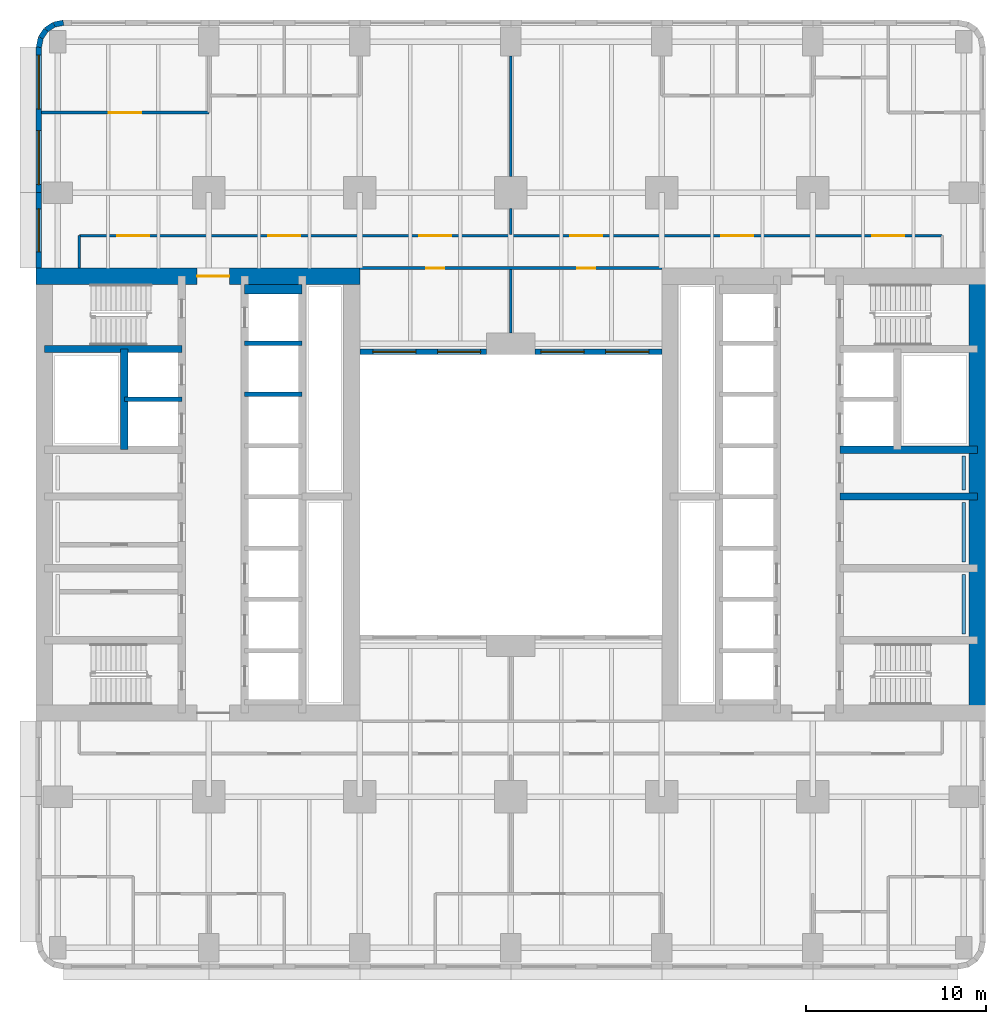
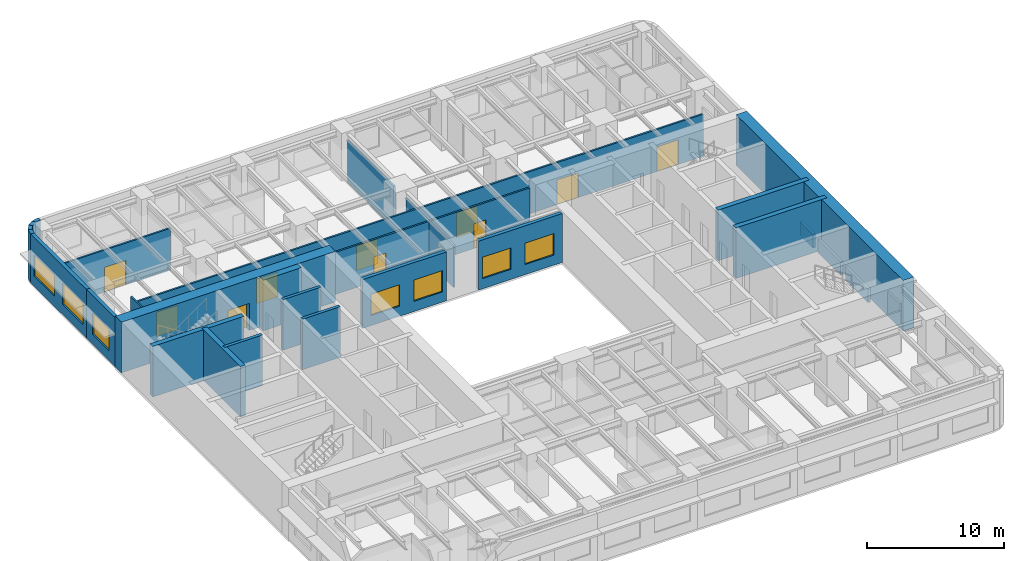
# One storey, part 6 of 12: 28 walls, 10 doors, 7 windows, 17 openings.
"""IFC4 building model written with IfcOpenShell, lengths in metres."""

import ifcopenshell
import ifcopenshell.guid

model = None  # the IFC model being written
_history = None  # IfcOwnerHistory: only IFC2X3 demands one
_inside = {}  # id of a spatial element -> (the spatial element, [elements in it])
_under = {}  # id of a project, library or spatial element -> (it, [spatial elements below it])
_declared = {}  # id of a project -> (the project, [libraries it declares])
_typed = {}  # id of a type object -> (the type object, [elements of that type])
_made_of = {}  # id of a material, layer set ... -> (it, [elements and type objects made of it])


def new_model(schema):
    """Start an empty IFC model of exactly this schema.

    Asked for "IFC4X3", IfcOpenShell would pick the latest addendum, in which some entities
    have other attributes; the version numbers below select the first issue.
    IFC2X3 requires an IfcOwnerHistory on every rooted entity: one is made here for all.
    """
    global model, _history
    if schema == "IFC4X3":
        model = ifcopenshell.file(schema_version=(4, 3, 0, 0))
    else:
        model = ifcopenshell.file(schema=schema)
    _inside.clear()
    _under.clear()
    _declared.clear()
    _typed.clear()
    _made_of.clear()
    _history = None
    if model.schema == "IFC2X3":
        org = make("IfcOrganization", Name="unknown")
        user = make(
            "IfcPersonAndOrganization",
            ThePerson=make("IfcPerson", FamilyName="unknown"),
            TheOrganization=org,
        )
        app = make(
            "IfcApplication",
            ApplicationDeveloper=org,
            Version="unknown",
            ApplicationFullName="unknown",
            ApplicationIdentifier="unknown",
        )
        _history = make(
            "IfcOwnerHistory",
            OwningUser=user,
            OwningApplication=app,
            ChangeAction="ADDED",
            CreationDate=0,
        )
    return model


def make(cls, **values):
    """One entity of the class cls with the attributes given. An attribute that is None is left unset."""
    return model.create_entity(
        cls, **{name: value for name, value in values.items() if value is not None}
    )


def rooted(cls, **values):
    """An entity with a GlobalId (a new one), such as an element, a storey or a relation."""
    return make(cls, GlobalId=ifcopenshell.guid.new(), OwnerHistory=_history, **values)


def si_unit(unit_type, name, prefix=None):
    """IfcSIUnit, for example si_unit("LENGTHUNIT", "METRE", prefix="MILLI")."""
    return make("IfcSIUnit", UnitType=unit_type, Prefix=prefix, Name=name)


def assignment(units):
    """IfcUnitAssignment: the units of a project."""
    return None if units is None else make("IfcUnitAssignment", Units=units)


def point(xyz):
    """IfcCartesianPoint."""
    return None if xyz is None else make("IfcCartesianPoint", Coordinates=xyz)


def direction(xyz):
    """IfcDirection."""
    return None if xyz is None else make("IfcDirection", DirectionRatios=xyz)


def frame(location, z_axis=None, x_axis=None):
    """IfcAxis2Placement3D, a coordinate frame: its origin and axes. An axis left out is left unset."""
    return make(
        "IfcAxis2Placement3D",
        Location=point(location),
        Axis=direction(z_axis),
        RefDirection=direction(x_axis),
    )


def frame_2d(location, x_axis=None):
    """IfcAxis2Placement2D, a coordinate frame in the plane: its origin and x axis."""
    return make(
        "IfcAxis2Placement2D", Location=point(location), RefDirection=direction(x_axis)
    )


def origin():
    """The frame at (0, 0, 0) with its axes left unset."""
    return frame((0.0, 0.0, 0.0))


def place(relative_to, where):
    """IfcLocalPlacement: puts the frame where relative to a parent placement (None: the world)."""
    return make(
        "IfcLocalPlacement", PlacementRelTo=relative_to, RelativePlacement=where
    )


def context(
    kind, dimensions, precision=None, world=None, true_north=None, identifier=None
):
    """IfcGeometricRepresentationContext, for example the 3D "Model" context."""
    return make(
        "IfcGeometricRepresentationContext",
        ContextIdentifier=identifier,
        ContextType=kind,
        CoordinateSpaceDimension=dimensions,
        Precision=precision,
        WorldCoordinateSystem=world,
        TrueNorth=true_north,
    )


def subcontext(parent, identifier, kind, view, scale=None):
    """IfcGeometricRepresentationSubContext, for example "Body" below "Model"."""
    return make(
        "IfcGeometricRepresentationSubContext",
        ContextIdentifier=identifier,
        ContextType=kind,
        ParentContext=parent,
        TargetScale=scale,
        TargetView=view,
    )


def project(units=None, contexts=None):
    """IfcProject with its units and contexts."""
    return rooted(
        "IfcProject",
        Name="project",
        RepresentationContexts=contexts,
        UnitsInContext=assignment(units),
    )


def spatial(cls, under=None, at=None, **own):
    """A site, building, storey or space (cls), placed at a placement, below another one or the project."""
    s = rooted(cls, ObjectPlacement=at, **own)
    if under is not None:
        _under.setdefault(under.id(), (under, []))[1].append(s)
    return s


def profile(cls, at=None, kind="AREA", **sizes):
    """A parametric profile (cls). Its sizes go by their IFC names, for example OverallWidth=200.0."""
    return make(cls, ProfileType=kind, Position=at, **sizes)


def rectangle(**sizes):
    """IfcRectangleProfileDef."""
    return profile("IfcRectangleProfileDef", **sizes)


def extrude(swept, where, along, depth):
    """IfcExtrudedAreaSolid: the profile swept, set in the frame where, extruded along a direction by depth."""
    return make(
        "IfcExtrudedAreaSolid",
        SweptArea=swept,
        Position=where,
        ExtrudedDirection=direction(along),
        Depth=depth,
    )


def shape(context_of_items, identifier, shape_type, items):
    """IfcShapeRepresentation: the items that make up one representation, for example the "Body"."""
    return make(
        "IfcShapeRepresentation",
        ContextOfItems=context_of_items,
        RepresentationIdentifier=identifier,
        RepresentationType=shape_type,
        Items=items,
    )


def material(Name=None, Category=None):
    """IfcMaterial."""
    return make("IfcMaterial", Name=Name, Category=Category)


def layer(
    of_material, thickness, ventilated=None, Name=None, Category=None, Priority=None
):
    """IfcMaterialLayer: one layer of a wall or slab, of a material (None: an air gap)."""
    return make(
        "IfcMaterialLayer",
        Material=of_material,
        LayerThickness=thickness,
        IsVentilated=ventilated,
        Name=Name,
        Category=Category,
        Priority=Priority,
    )


def layer_set(layers, Name=None):
    """IfcMaterialLayerSet."""
    return make("IfcMaterialLayerSet", MaterialLayers=layers, LayerSetName=Name)


def made_of(thing, what):
    """Note that an element or type object is made of a material, layer set ...; save() writes the relation."""
    if what is not None:
        _made_of.setdefault(what.id(), (what, []))[1].append(thing)
    return thing


def type_object(cls, material=None, **own):
    """A type object (cls), such as IfcWallType, which elements share."""
    return made_of(rooted(cls, **own), material)


def element(
    cls,
    number,
    at=None,
    inside=None,
    cuts=None,
    type_object=None,
    material=None,
    context=None,
    identifier="Body",
    shape_type=None,
    held_by="IfcProductDefinitionShape",
    body=None,
    shapes=None,
    **own,
):
    """One element of the class cls, such as IfcWall. Its Tag is "e" and its number.

    at: its placement. inside: the storey or other place that contains it. cuts: it is an
    opening in that element (IfcRelVoidsElement). A single representation is given by context,
    identifier, shape_type and body (its items); several are given by shapes. held_by: the class
    of the entity that holds the representations. save() writes the other relations.
    """
    e = rooted(cls, Tag="e%d" % number, ObjectPlacement=at, **own)
    if body is not None:
        shapes = [shape(context, identifier, shape_type, body)]
    if shapes is not None:
        e.Representation = make(held_by, Representations=shapes)
    if inside is not None:
        _inside.setdefault(inside.id(), (inside, []))[1].append(e)
    if cuts is not None:
        rooted(
            "IfcRelVoidsElement", RelatingBuildingElement=cuts, RelatedOpeningElement=e
        )
    if type_object is not None:
        _typed.setdefault(type_object.id(), (type_object, []))[1].append(e)
    return made_of(e, material)


def fill(opening, filler):
    """IfcRelFillsElement: the door or window that sits in an opening."""
    return rooted(
        "IfcRelFillsElement",
        RelatingOpeningElement=opening,
        RelatedBuildingElement=filler,
    )


def aggregate(whole, parts):
    """IfcRelAggregates: a whole, such as a stair, and the parts it consists of."""
    return rooted("IfcRelAggregates", RelatingObject=whole, RelatedObjects=parts)


def save(model, path):
    """Write the relations noted so far, then the file.

    IfcRelAggregates (storeys below a building ...), IfcRelContainedInSpatialStructure (elements
    in a storey), IfcRelDefinesByType, IfcRelAssociatesMaterial and IfcRelDeclares: one each for
    every whole, place, type object, material and project.
    """
    for whole, parts in _under.values():
        aggregate(whole, parts)
    for where, things in _inside.values():
        rooted(
            "IfcRelContainedInSpatialStructure",
            RelatedElements=things,
            RelatingStructure=where,
        )
    for kind, things in _typed.values():
        rooted("IfcRelDefinesByType", RelatedObjects=things, RelatingType=kind)
    for what, things in _made_of.values():
        rooted("IfcRelAssociatesMaterial", RelatedObjects=things, RelatingMaterial=what)
    for by, libraries in _declared.values():
        rooted("IfcRelDeclares", RelatingContext=by, RelatedDefinitions=libraries)
    model.write(path)


model = new_model("IFC4")

# Units and contexts
model_context = context("Model", 3, precision=1e-05, world=origin(), true_north=direction((0.0, 1.0)))
body_context = subcontext(model_context, "Body", "Model", "MODEL_VIEW")
ifc_project = project(units=[si_unit("LENGTHUNIT", "METRE"), si_unit("AREAUNIT", "SQUARE_METRE"), si_unit("VOLUMEUNIT", "CUBIC_METRE"), si_unit("PLANEANGLEUNIT", "RADIAN"), si_unit("MASSUNIT", "GRAM", prefix="KILO")], contexts=[model_context])

# Site, building, storey
site_placement = place(None, origin())
site = spatial("IfcSite", under=ifc_project, at=site_placement, CompositionType="ELEMENT")
building_placement = place(site_placement, origin())
building = spatial("IfcBuilding", under=site, at=building_placement, Name="Claustro Exchange Tower", CompositionType="ELEMENT")
storey_placement = place(building_placement, frame((0.0, 0.0, 50.39990234375)))
storey = spatial("IfcBuildingStorey", under=building, at=storey_placement, Name="L11", CompositionType="ELEMENT", Elevation=50.39990234375)

# Wall, opening, door
ifc_material_1 = material(Name="Gypsum board on steel studs", Category="steel")
ifc_layer_1 = layer(ifc_material_1, 0.14990234375)
ifc_layer_set_1 = layer_set([ifc_layer_1], Name="Gypsum board on steel studs")
wall_type_1 = type_object("IfcWallType", Name="P1 150 plasterboard partition", PredefinedType="PARTITIONING", material=ifc_layer_set_1)
wall_1_placement = place(storey_placement, frame((-0.902099609375, 46.449951171875, 0.0), z_axis=(0.0, 0.0, 1.0), x_axis=(1.0, 0.0, 0.0)))
wall_1 = element("IfcWall", 1, at=wall_1_placement, inside=storey, type_object=wall_type_1, Name="Partition P1 L11", PredefinedType="PARTITIONING", context=body_context, shape_type="SweptSolid", body=[
    extrude(rectangle(XDim=9.302001953125, YDim=0.14990234375, at=frame_2d((4.65087890625, 0.0))), origin(), (0.0, 0.0, 1.0), 3.739990234375),
])
opening_1_placement = place(wall_1_placement, frame((3.751953125, 0.0, 0.0)))
opening_1 = element("IfcOpeningElement", 2, at=opening_1_placement, cuts=wall_1, Name="Opening D2", PredefinedType="OPENING", context=body_context, shape_type="SweptSolid", body=[
    extrude(rectangle(XDim=1.800048828125, YDim=2.199951171875, at=frame_2d((0.89990234375, 1.10009765625))), frame((0.0, 0.0849609375, 0.0), z_axis=(0.0, -1.0, 0.0), x_axis=(1.0, 0.0, 0.0)), (0.0, 0.0, 1.0), 0.169921875),
])
ifc_material_2 = material(Name="Timber door, oak veneer", Category="wood")
door_type_1 = type_object("IfcDoorType", Name="D2 1800 x 2200 double door", OperationType="DOUBLE_DOOR_SINGLE_SWING", PredefinedType="DOOR", material=ifc_material_2)
door_1_placement = place(opening_1_placement, origin())
door_1 = element("IfcDoor", 3, at=door_1_placement, inside=storey, type_object=door_type_1, Name="Double door D2 L11", OperationType="DOUBLE_DOOR_SINGLE_SWING", OverallHeight=2.199951171875, OverallWidth=1.800048828125, PredefinedType="DOOR", context=body_context, shape_type="SweptSolid", body=[
    extrude(rectangle(XDim=1.800048828125, YDim=2.199951171875, at=frame_2d((0.89990234375, 1.10009765625))), frame((0.0, 0.02490234375, 0.0), z_axis=(0.0, -1.0, 0.0), x_axis=(1.0, 0.0, 0.0)), (0.0, 0.0, 1.0), 0.050048828125),
])
fill(opening_1, door_1)

# Walls
wall_2_placement = place(storey_placement, frame((25.199951171875, 39.674072265625, 0.0), z_axis=(0.0, 0.0, 1.0), x_axis=(0.0, 1.0, 0.0)))
element("IfcWall", 4, at=wall_2_placement, inside=storey, type_object=wall_type_1, Name="Partition P1 L11", PredefinedType="PARTITIONING", context=body_context, shape_type="SweptSolid", body=[
    extrude(rectangle(XDim=1.427001953125, YDim=0.14990234375, at=frame_2d((0.71337890625, 0.0))), origin(), (0.0, 0.0, 1.0), 3.739990234375),
])
wall_3_placement = place(storey_placement, frame((25.199951171875, 42.89892578125, 0.0), z_axis=(0.0, 0.0, 1.0), x_axis=(0.0, 1.0, 0.0)))
element("IfcWall", 5, at=wall_3_placement, inside=storey, type_object=wall_type_1, Name="Partition P1 L11", PredefinedType="PARTITIONING", context=body_context, shape_type="SweptSolid", body=[
    extrude(rectangle(XDim=6.7021484375, YDim=0.14990234375, at=frame_2d((3.35107421875, 0.0))), origin(), (0.0, 0.0, 1.0), 3.739990234375),
])

# Wall, openings, doors
wall_4_placement = place(storey_placement, frame((1.199951171875, 39.60009765625, 0.0), z_axis=(0.0, 0.0, 1.0), x_axis=(1.0, 0.0, 0.0)))
wall_4 = element("IfcWall", 6, at=wall_4_placement, inside=storey, type_object=wall_type_1, Name="Partition P1 L11", PredefinedType="PARTITIONING", context=body_context, shape_type="SweptSolid", body=[
    extrude(rectangle(XDim=48.0, YDim=0.14990234375, at=frame_2d((24.0, 0.0))), origin(), (0.0, 0.0, 1.0), 3.739990234375),
])
opening_2_placement = place(wall_4_placement, frame((2.10009765625, 0.0, 0.0)))
opening_2 = element("IfcOpeningElement", 7, at=opening_2_placement, cuts=wall_4, Name="Opening D2", PredefinedType="OPENING", context=body_context, shape_type="SweptSolid", body=[
    extrude(rectangle(XDim=1.800048828125, YDim=2.199951171875, at=frame_2d((0.89990234375, 1.10009765625))), frame((0.0, 0.0849609375, 0.0), z_axis=(0.0, -1.0, 0.0), x_axis=(1.0, 0.0, 0.0)), (0.0, 0.0, 1.0), 0.169921875),
])
opening_3_placement = place(wall_4_placement, frame((10.5, 0.0, 0.0)))
opening_3 = element("IfcOpeningElement", 8, at=opening_3_placement, cuts=wall_4, Name="Opening D2", PredefinedType="OPENING", context=body_context, shape_type="SweptSolid", body=[
    extrude(rectangle(XDim=1.800048828125, YDim=2.199951171875, at=frame_2d((0.89990234375, 1.10009765625))), frame((0.0, 0.0849609375, 0.0), z_axis=(0.0, -1.0, 0.0), x_axis=(1.0, 0.0, 0.0)), (0.0, 0.0, 1.0), 0.169921875),
])
opening_4_placement = place(wall_4_placement, frame((18.89990234375, 0.0, 0.0)))
opening_4 = element("IfcOpeningElement", 9, at=opening_4_placement, cuts=wall_4, Name="Opening D2", PredefinedType="OPENING", context=body_context, shape_type="SweptSolid", body=[
    extrude(rectangle(XDim=1.800048828125, YDim=2.199951171875, at=frame_2d((0.89990234375, 1.10009765625))), frame((0.0, 0.0849609375, 0.0), z_axis=(0.0, -1.0, 0.0), x_axis=(1.0, 0.0, 0.0)), (0.0, 0.0, 1.0), 0.169921875),
])
opening_5_placement = place(wall_4_placement, frame((27.300048828125, 0.0, 0.0)))
opening_5 = element("IfcOpeningElement", 10, at=opening_5_placement, cuts=wall_4, Name="Opening D2", PredefinedType="OPENING", context=body_context, shape_type="SweptSolid", body=[
    extrude(rectangle(XDim=1.800048828125, YDim=2.199951171875, at=frame_2d((0.89990234375, 1.10009765625))), frame((0.0, 0.0849609375, 0.0), z_axis=(0.0, -1.0, 0.0), x_axis=(1.0, 0.0, 0.0)), (0.0, 0.0, 1.0), 0.169921875),
])
opening_6_placement = place(wall_4_placement, frame((35.699951171875, 0.0, 0.0)))
opening_6 = element("IfcOpeningElement", 11, at=opening_6_placement, cuts=wall_4, Name="Opening D2", PredefinedType="OPENING", context=body_context, shape_type="SweptSolid", body=[
    extrude(rectangle(XDim=1.800048828125, YDim=2.199951171875, at=frame_2d((0.89990234375, 1.10009765625))), frame((0.0, 0.0849609375, 0.0), z_axis=(0.0, -1.0, 0.0), x_axis=(1.0, 0.0, 0.0)), (0.0, 0.0, 1.0), 0.169921875),
])
opening_7_placement = place(wall_4_placement, frame((44.10009765625, 0.0, 0.0)))
opening_7 = element("IfcOpeningElement", 12, at=opening_7_placement, cuts=wall_4, Name="Opening D2", PredefinedType="OPENING", context=body_context, shape_type="SweptSolid", body=[
    extrude(rectangle(XDim=1.800048828125, YDim=2.199951171875, at=frame_2d((0.89990234375, 1.10009765625))), frame((0.0, 0.0849609375, 0.0), z_axis=(0.0, -1.0, 0.0), x_axis=(1.0, 0.0, 0.0)), (0.0, 0.0, 1.0), 0.169921875),
])
door_2_placement = place(opening_2_placement, origin())
door_2 = element("IfcDoor", 13, at=door_2_placement, inside=storey, type_object=door_type_1, Name="Double door D2 L11", OperationType="DOUBLE_DOOR_SINGLE_SWING", OverallHeight=2.199951171875, OverallWidth=1.800048828125, PredefinedType="DOOR", context=body_context, shape_type="SweptSolid", body=[
    extrude(rectangle(XDim=1.800048828125, YDim=2.199951171875, at=frame_2d((0.89990234375, 1.10009765625))), frame((0.0, 0.02490234375, 0.0), z_axis=(0.0, -1.0, 0.0), x_axis=(1.0, 0.0, 0.0)), (0.0, 0.0, 1.0), 0.050048828125),
])
fill(opening_2, door_2)
door_3_placement = place(opening_3_placement, origin())
door_3 = element("IfcDoor", 14, at=door_3_placement, inside=storey, type_object=door_type_1, Name="Double door D2 L11", OperationType="DOUBLE_DOOR_SINGLE_SWING", OverallHeight=2.199951171875, OverallWidth=1.800048828125, PredefinedType="DOOR", context=body_context, shape_type="SweptSolid", body=[
    extrude(rectangle(XDim=1.800048828125, YDim=2.199951171875, at=frame_2d((0.89990234375, 1.10009765625))), frame((0.0, 0.02490234375, 0.0), z_axis=(0.0, -1.0, 0.0), x_axis=(1.0, 0.0, 0.0)), (0.0, 0.0, 1.0), 0.050048828125),
])
fill(opening_3, door_3)
door_4_placement = place(opening_4_placement, origin())
door_4 = element("IfcDoor", 15, at=door_4_placement, inside=storey, type_object=door_type_1, Name="Double door D2 L11", OperationType="DOUBLE_DOOR_SINGLE_SWING", OverallHeight=2.199951171875, OverallWidth=1.800048828125, PredefinedType="DOOR", context=body_context, shape_type="SweptSolid", body=[
    extrude(rectangle(XDim=1.800048828125, YDim=2.199951171875, at=frame_2d((0.89990234375, 1.10009765625))), frame((0.0, 0.02490234375, 0.0), z_axis=(0.0, -1.0, 0.0), x_axis=(1.0, 0.0, 0.0)), (0.0, 0.0, 1.0), 0.050048828125),
])
fill(opening_4, door_4)
door_5_placement = place(opening_5_placement, origin())
door_5 = element("IfcDoor", 16, at=door_5_placement, inside=storey, type_object=door_type_1, Name="Double door D2 L11", OperationType="DOUBLE_DOOR_SINGLE_SWING", OverallHeight=2.199951171875, OverallWidth=1.800048828125, PredefinedType="DOOR", context=body_context, shape_type="SweptSolid", body=[
    extrude(rectangle(XDim=1.800048828125, YDim=2.199951171875, at=frame_2d((0.89990234375, 1.10009765625))), frame((0.0, 0.02490234375, 0.0), z_axis=(0.0, -1.0, 0.0), x_axis=(1.0, 0.0, 0.0)), (0.0, 0.0, 1.0), 0.050048828125),
])
fill(opening_5, door_5)
door_6_placement = place(opening_6_placement, origin())
door_6 = element("IfcDoor", 17, at=door_6_placement, inside=storey, type_object=door_type_1, Name="Double door D2 L11", OperationType="DOUBLE_DOOR_SINGLE_SWING", OverallHeight=2.199951171875, OverallWidth=1.800048828125, PredefinedType="DOOR", context=body_context, shape_type="SweptSolid", body=[
    extrude(rectangle(XDim=1.800048828125, YDim=2.199951171875, at=frame_2d((0.89990234375, 1.10009765625))), frame((0.0, 0.02490234375, 0.0), z_axis=(0.0, -1.0, 0.0), x_axis=(1.0, 0.0, 0.0)), (0.0, 0.0, 1.0), 0.050048828125),
])
fill(opening_6, door_6)
door_7_placement = place(opening_7_placement, origin())
door_7 = element("IfcDoor", 18, at=door_7_placement, inside=storey, type_object=door_type_1, Name="Double door D2 L11", OperationType="DOUBLE_DOOR_SINGLE_SWING", OverallHeight=2.199951171875, OverallWidth=1.800048828125, PredefinedType="DOOR", context=body_context, shape_type="SweptSolid", body=[
    extrude(rectangle(XDim=1.800048828125, YDim=2.199951171875, at=frame_2d((0.89990234375, 1.10009765625))), frame((0.0, 0.02490234375, 0.0), z_axis=(0.0, -1.0, 0.0), x_axis=(1.0, 0.0, 0.0)), (0.0, 0.0, 1.0), 0.050048828125),
])
fill(opening_7, door_7)

# Wall
wall_5_placement = place(storey_placement, frame((1.199951171875, 37.800048828125, 0.0), z_axis=(0.0, 0.0, 1.0), x_axis=(0.0, 1.0, 0.0)))
element("IfcWall", 19, at=wall_5_placement, inside=storey, type_object=wall_type_1, Name="Partition P1 L11", PredefinedType="PARTITIONING", context=body_context, shape_type="SweptSolid", body=[
    extrude(rectangle(XDim=1.800048828125, YDim=0.14990234375, at=frame_2d((0.89990234375, 0.0))), origin(), (0.0, 0.0, 1.0), 4.340087890625),
])

# Wall, openings, doors
wall_6_placement = place(storey_placement, frame((16.798095703125, 37.800048828125, 0.0), z_axis=(0.0, 0.0, 1.0), x_axis=(1.0, 0.0, 0.0)))
wall_6 = element("IfcWall", 20, at=wall_6_placement, inside=storey, type_object=wall_type_1, Name="Partition P1 L11", PredefinedType="PARTITIONING", context=body_context, shape_type="SweptSolid", body=[
    extrude(rectangle(XDim=16.803955078125, YDim=0.14990234375, at=frame_2d((8.40185546875, 0.0))), origin(), (0.0, 0.0, 1.0), 3.739990234375),
])
opening_8_placement = place(wall_6_placement, frame((3.701904296875, 0.0, 0.0)))
opening_8 = element("IfcOpeningElement", 21, at=opening_8_placement, cuts=wall_6, Name="Opening D1", PredefinedType="OPENING", context=body_context, shape_type="SweptSolid", body=[
    extrude(rectangle(XDim=1.0, YDim=2.199951171875, at=frame_2d((0.5, 1.10009765625))), frame((0.0, 0.0849609375, 0.0), z_axis=(0.0, -1.0, 0.0), x_axis=(1.0, 0.0, 0.0)), (0.0, 0.0, 1.0), 0.169921875),
])
opening_9_placement = place(wall_6_placement, frame((12.10205078125, 0.0, 0.0)))
opening_9 = element("IfcOpeningElement", 22, at=opening_9_placement, cuts=wall_6, Name="Opening D1", PredefinedType="OPENING", context=body_context, shape_type="SweptSolid", body=[
    extrude(rectangle(XDim=1.0, YDim=2.199951171875, at=frame_2d((0.5, 1.10009765625))), frame((0.0, 0.0849609375, 0.0), z_axis=(0.0, -1.0, 0.0), x_axis=(1.0, 0.0, 0.0)), (0.0, 0.0, 1.0), 0.169921875),
])
ifc_material_3 = material(Name="Timber door, oak veneer", Category="wood")
door_type_2 = type_object("IfcDoorType", Name="D1 1000 x 2200 single door", OperationType="SINGLE_SWING_LEFT", PredefinedType="DOOR", material=ifc_material_3)
door_8_placement = place(opening_8_placement, frame((1.0, 0.0, 0.0), z_axis=(0.0, 0.0, 1.0), x_axis=(-1.0, 0.0, 0.0)))
door_8 = element("IfcDoor", 23, at=door_8_placement, inside=storey, type_object=door_type_2, Name="Door D1 L11", OperationType="SINGLE_SWING_RIGHT", OverallHeight=2.199951171875, OverallWidth=1.0, PredefinedType="DOOR", context=body_context, shape_type="SweptSolid", body=[
    extrude(rectangle(XDim=1.0, YDim=2.199951171875, at=frame_2d((0.5, 1.10009765625))), frame((0.0, 0.02490234375, 0.0), z_axis=(0.0, -1.0, 0.0), x_axis=(1.0, 0.0, 0.0)), (0.0, 0.0, 1.0), 0.050048828125),
])
fill(opening_8, door_8)
door_9_placement = place(opening_9_placement, frame((1.0, 0.0, 0.0), z_axis=(0.0, 0.0, 1.0), x_axis=(-1.0, 0.0, 0.0)))
door_9 = element("IfcDoor", 24, at=door_9_placement, inside=storey, type_object=door_type_2, Name="Door D1 L11", OperationType="SINGLE_SWING_RIGHT", OverallHeight=2.199951171875, OverallWidth=1.0, PredefinedType="DOOR", context=body_context, shape_type="SweptSolid", body=[
    extrude(rectangle(XDim=1.0, YDim=2.199951171875, at=frame_2d((0.5, 1.10009765625))), frame((0.0, 0.02490234375, 0.0), z_axis=(0.0, -1.0, 0.0), x_axis=(1.0, 0.0, 0.0)), (0.0, 0.0, 1.0), 0.050048828125),
])
fill(opening_9, door_9)

# Wall
wall_7_placement = place(storey_placement, frame((25.199951171875, 34.198974609375, 0.0), z_axis=(0.0, 0.0, 1.0), x_axis=(0.0, 1.0, 0.0)))
element("IfcWall", 25, at=wall_7_placement, inside=storey, type_object=wall_type_1, Name="Partition P1 L11", PredefinedType="PARTITIONING", context=body_context, shape_type="SweptSolid", body=[
    extrude(rectangle(XDim=3.527099609375, YDim=0.14990234375, at=frame_2d((1.763671875, 0.0))), origin(), (0.0, 0.0, 1.0), 3.739990234375),
])

# Wall, opening, window
ifc_material_4 = material(Name="Concrete HA-40 (C40/50), precast, white cement, acid-etched", Category="concrete")
ifc_layer_2 = layer(ifc_material_4, 0.300048828125)
ifc_layer_set_2 = layer_set([ifc_layer_2], Name="Concrete HA-40 (C40/50), precast, white cement, acid-etched")
wall_type_2 = type_object("IfcWallType", Name="PC1 300 precast concrete pier panel", PredefinedType="SOLIDWALL", material=ifc_layer_set_2)
wall_8_placement = place(storey_placement, frame((-1.050048828125, 37.800048828125, 0.0), z_axis=(0.0, 0.0, 1.0), x_axis=(0.0, 1.0, 0.0)))
wall_8 = element("IfcWall", 26, at=wall_8_placement, inside=storey, type_object=wall_type_2, Name="Precast pier panel PC1 L11", PredefinedType="SOLIDWALL", context=body_context, shape_type="SweptSolid", body=[
    extrude(rectangle(XDim=4.199951171875, YDim=0.300048828125, at=frame_2d((2.10009765625, 0.0))), origin(), (0.0, 0.0, 1.0), 4.340087890625),
])
opening_10_placement = place(wall_8_placement, frame((0.89990234375, 0.0, 0.89990234375)))
opening_10 = element("IfcOpeningElement", 27, at=opening_10_placement, cuts=wall_8, Name="Opening W2", PredefinedType="OPENING", context=body_context, shape_type="SweptSolid", body=[
    extrude(rectangle(XDim=2.39990234375, YDim=1.89990234375, at=frame_2d((1.199951171875, 0.949951171875))), frame((0.0, 0.159912109375, 0.0), z_axis=(0.0, -1.0, 0.0), x_axis=(1.0, 0.0, 0.0)), (0.0, 0.0, 1.0), 0.320068359375),
])
ifc_material_5 = material(Name="Aluminium frame, clear double glazing", Category="aluminium")
window_type_1 = type_object("IfcWindowType", Name="W2 2400 x 1900 window", PartitioningType="SINGLE_PANEL", PredefinedType="WINDOW", material=ifc_material_5)
window_1_placement = place(opening_10_placement, origin())
window_1 = element("IfcWindow", 28, at=window_1_placement, inside=storey, type_object=window_type_1, Name="Window W2 L11", OverallHeight=1.89990234375, OverallWidth=2.39990234375, PartitioningType="SINGLE_PANEL", PredefinedType="WINDOW", context=body_context, shape_type="SweptSolid", body=[
    extrude(rectangle(XDim=2.39990234375, YDim=1.89990234375, at=frame_2d((1.199951171875, 0.949951171875))), frame((0.0, 0.030029296875, 0.0), z_axis=(0.0, -1.0, 0.0), x_axis=(1.0, 0.0, 0.0)), (0.0, 0.0, 1.0), 0.06005859375),
])
fill(opening_10, window_1)

# Wall, openings, windows
wall_9_placement = place(storey_placement, frame((-1.050048828125, 42.0, 0.0), z_axis=(0.0, 0.0, 1.0), x_axis=(0.0, 1.0, 0.0)))
wall_9 = element("IfcWall", 29, at=wall_9_placement, inside=storey, type_object=wall_type_2, Name="Precast pier panel PC1 L11", PredefinedType="SOLIDWALL", context=body_context, shape_type="SweptSolid", body=[
    extrude(rectangle(XDim=8.085205078125, YDim=0.300048828125, at=frame_2d((4.04248046875, 0.0))), origin(), (0.0, 0.0, 1.0), 4.340087890625),
])
opening_11_placement = place(wall_9_placement, frame((0.442626953125, 0.0, 0.89990234375)))
opening_11 = element("IfcOpeningElement", 30, at=opening_11_placement, cuts=wall_9, Name="Opening W1", PredefinedType="OPENING", context=body_context, shape_type="SweptSolid", body=[
    extrude(rectangle(XDim=3.0, YDim=1.89990234375, at=frame_2d((1.5, 0.949951171875))), frame((0.0, 0.159912109375, 0.0), z_axis=(0.0, -1.0, 0.0), x_axis=(1.0, 0.0, 0.0)), (0.0, 0.0, 1.0), 0.320068359375),
])
opening_12_placement = place(wall_9_placement, frame((4.642578125, 0.0, 0.89990234375)))
opening_12 = element("IfcOpeningElement", 31, at=opening_12_placement, cuts=wall_9, Name="Opening W1", PredefinedType="OPENING", context=body_context, shape_type="SweptSolid", body=[
    extrude(rectangle(XDim=3.0, YDim=1.89990234375, at=frame_2d((1.5, 0.949951171875))), frame((0.0, 0.159912109375, 0.0), z_axis=(0.0, -1.0, 0.0), x_axis=(1.0, 0.0, 0.0)), (0.0, 0.0, 1.0), 0.320068359375),
])
ifc_material_6 = material(Name="Aluminium frame, clear double glazing", Category="aluminium")
window_type_2 = type_object("IfcWindowType", Name="W1 3000 x 1900 window", PartitioningType="SINGLE_PANEL", PredefinedType="WINDOW", material=ifc_material_6)
window_2_placement = place(opening_11_placement, origin())
window_2 = element("IfcWindow", 32, at=window_2_placement, inside=storey, type_object=window_type_2, Name="Window W1 L11", OverallHeight=1.89990234375, OverallWidth=3.0, PartitioningType="SINGLE_PANEL", PredefinedType="WINDOW", context=body_context, shape_type="SweptSolid", body=[
    extrude(rectangle(XDim=3.0, YDim=1.89990234375, at=frame_2d((1.5, 0.949951171875))), frame((0.0, 0.030029296875, 0.0), z_axis=(0.0, -1.0, 0.0), x_axis=(1.0, 0.0, 0.0)), (0.0, 0.0, 1.0), 0.06005859375),
])
fill(opening_11, window_2)
window_3_placement = place(opening_12_placement, origin())
window_3 = element("IfcWindow", 33, at=window_3_placement, inside=storey, type_object=window_type_2, Name="Window W1 L11", OverallHeight=1.89990234375, OverallWidth=3.0, PartitioningType="SINGLE_PANEL", PredefinedType="WINDOW", context=body_context, shape_type="SweptSolid", body=[
    extrude(rectangle(XDim=3.0, YDim=1.89990234375, at=frame_2d((1.5, 0.949951171875))), frame((0.0, 0.030029296875, 0.0), z_axis=(0.0, -1.0, 0.0), x_axis=(1.0, 0.0, 0.0)), (0.0, 0.0, 1.0), 0.06005859375),
])
fill(opening_12, window_3)

# Walls
wall_10_placement = place(storey_placement, frame((-1.050048828125, 50.085205078125, 0.0), z_axis=(0.0, 0.0, 1.0), x_axis=(0.195073962632, 0.980788534345, 0.0)))
element("IfcWall", 34, at=wall_10_placement, inside=storey, type_object=wall_type_2, Name="Precast pier panel PC1 L11", PredefinedType="SOLIDWALL", context=body_context, shape_type="SweptSolid", body=[
    extrude(rectangle(XDim=0.540771484375, YDim=0.300048828125, at=frame_2d((0.2705078125, 0.0))), origin(), (0.0, 0.0, 1.0), 4.340087890625),
])
for number, where, z_axis, x_axis, name in (
    (35, (-0.944580078125, 50.615478515625, 0.0), (0.0, 0.0, 1.0), (0.555557463938, 0.831478144188, 0.0), "Precast pier panel PC1 L11"),
    (36, (-0.652587890625, 51.052490234375, 0.0), (0.0, 0.0, 1.0), (0.831478144188, 0.555557463938, 0.0), "Precast pier panel PC1 L11"),
):
    element("IfcWall", number, at=place(storey_placement, frame(where, z_axis=z_axis, x_axis=x_axis)), inside=storey, type_object=wall_type_2, Name=name, PredefinedType="SOLIDWALL", context=body_context, shape_type="SweptSolid", body=[
        extrude(rectangle(XDim=0.525634765625, YDim=0.300048828125, at=frame_2d((0.2626953125, 0.0))), origin(), (0.0, 0.0, 1.0), 4.340087890625),
    ])
wall_11_placement = place(storey_placement, frame((-0.215576171875, 51.344482421875, 0.0), z_axis=(0.0, 0.0, 1.0), x_axis=(0.980788534345, 0.195073962632, 0.0)))
element("IfcWall", 37, at=wall_11_placement, inside=storey, type_object=wall_type_2, Name="Precast pier panel PC1 L11", PredefinedType="SOLIDWALL", context=body_context, shape_type="SweptSolid", body=[
    extrude(rectangle(XDim=0.540771484375, YDim=0.300048828125, at=frame_2d((0.2705078125, 0.0))), origin(), (0.0, 0.0, 1.0), 4.340087890625),
])

# Wall, openings, windows
wall_12_placement = place(storey_placement, frame((16.800048828125, 33.14990234375, 0.0), z_axis=(0.0, 0.0, 1.0), x_axis=(1.0, 0.0, 0.0)))
wall_12 = element("IfcWall", 38, at=wall_12_placement, inside=storey, type_object=wall_type_2, Name="Precast pier panel PC1 L11", PredefinedType="SOLIDWALL", context=body_context, shape_type="SweptSolid", body=[
    extrude(rectangle(XDim=7.050048828125, YDim=0.300048828125, at=frame_2d((3.52490234375, 0.0))), origin(), (0.0, 0.0, 1.0), 4.340087890625),
])
opening_13_placement = place(wall_12_placement, frame((0.72509765625, 0.0, 0.89990234375)))
opening_13 = element("IfcOpeningElement", 39, at=opening_13_placement, cuts=wall_12, Name="Opening W2", PredefinedType="OPENING", context=body_context, shape_type="SweptSolid", body=[
    extrude(rectangle(XDim=2.39990234375, YDim=1.89990234375, at=frame_2d((1.199951171875, 0.949951171875))), frame((0.0, 0.159912109375, 0.0), z_axis=(0.0, -1.0, 0.0), x_axis=(1.0, 0.0, 0.0)), (0.0, 0.0, 1.0), 0.320068359375),
])
opening_14_placement = place(wall_12_placement, frame((4.324951171875, 0.0, 0.89990234375)))
opening_14 = element("IfcOpeningElement", 40, at=opening_14_placement, cuts=wall_12, Name="Opening W2", PredefinedType="OPENING", context=body_context, shape_type="SweptSolid", body=[
    extrude(rectangle(XDim=2.39990234375, YDim=1.89990234375, at=frame_2d((1.199951171875, 0.949951171875))), frame((0.0, 0.159912109375, 0.0), z_axis=(0.0, -1.0, 0.0), x_axis=(1.0, 0.0, 0.0)), (0.0, 0.0, 1.0), 0.320068359375),
])
window_4_placement = place(opening_13_placement, origin())
window_4 = element("IfcWindow", 41, at=window_4_placement, inside=storey, type_object=window_type_1, Name="Window W2 L11", OverallHeight=1.89990234375, OverallWidth=2.39990234375, PartitioningType="SINGLE_PANEL", PredefinedType="WINDOW", context=body_context, shape_type="SweptSolid", body=[
    extrude(rectangle(XDim=2.39990234375, YDim=1.89990234375, at=frame_2d((1.199951171875, 0.949951171875))), frame((0.0, 0.030029296875, 0.0), z_axis=(0.0, -1.0, 0.0), x_axis=(1.0, 0.0, 0.0)), (0.0, 0.0, 1.0), 0.06005859375),
])
fill(opening_13, window_4)
window_5_placement = place(opening_14_placement, origin())
window_5 = element("IfcWindow", 42, at=window_5_placement, inside=storey, type_object=window_type_1, Name="Window W2 L11", OverallHeight=1.89990234375, OverallWidth=2.39990234375, PartitioningType="SINGLE_PANEL", PredefinedType="WINDOW", context=body_context, shape_type="SweptSolid", body=[
    extrude(rectangle(XDim=2.39990234375, YDim=1.89990234375, at=frame_2d((1.199951171875, 0.949951171875))), frame((0.0, 0.030029296875, 0.0), z_axis=(0.0, -1.0, 0.0), x_axis=(1.0, 0.0, 0.0)), (0.0, 0.0, 1.0), 0.06005859375),
])
fill(opening_14, window_5)

wall_13_placement = place(storey_placement, frame((26.550048828125, 33.14990234375, 0.0), z_axis=(0.0, 0.0, 1.0), x_axis=(1.0, 0.0, 0.0)))
wall_13 = element("IfcWall", 43, at=wall_13_placement, inside=storey, type_object=wall_type_2, Name="Precast pier panel PC1 L11", PredefinedType="SOLIDWALL", context=body_context, shape_type="SweptSolid", body=[
    extrude(rectangle(XDim=7.050048828125, YDim=0.300048828125, at=frame_2d((3.52490234375, 0.0))), origin(), (0.0, 0.0, 1.0), 4.340087890625),
])
opening_15_placement = place(wall_13_placement, frame((0.324951171875, 0.0, 0.89990234375)))
opening_15 = element("IfcOpeningElement", 44, at=opening_15_placement, cuts=wall_13, Name="Opening W2", PredefinedType="OPENING", context=body_context, shape_type="SweptSolid", body=[
    extrude(rectangle(XDim=2.39990234375, YDim=1.89990234375, at=frame_2d((1.199951171875, 0.949951171875))), frame((0.0, 0.159912109375, 0.0), z_axis=(0.0, -1.0, 0.0), x_axis=(1.0, 0.0, 0.0)), (0.0, 0.0, 1.0), 0.320068359375),
])
opening_16_placement = place(wall_13_placement, frame((3.925048828125, 0.0, 0.89990234375)))
opening_16 = element("IfcOpeningElement", 45, at=opening_16_placement, cuts=wall_13, Name="Opening W2", PredefinedType="OPENING", context=body_context, shape_type="SweptSolid", body=[
    extrude(rectangle(XDim=2.39990234375, YDim=1.89990234375, at=frame_2d((1.199951171875, 0.949951171875))), frame((0.0, 0.159912109375, 0.0), z_axis=(0.0, -1.0, 0.0), x_axis=(1.0, 0.0, 0.0)), (0.0, 0.0, 1.0), 0.320068359375),
])
window_6_placement = place(opening_15_placement, origin())
window_6 = element("IfcWindow", 46, at=window_6_placement, inside=storey, type_object=window_type_1, Name="Window W2 L11", OverallHeight=1.89990234375, OverallWidth=2.39990234375, PartitioningType="SINGLE_PANEL", PredefinedType="WINDOW", context=body_context, shape_type="SweptSolid", body=[
    extrude(rectangle(XDim=2.39990234375, YDim=1.89990234375, at=frame_2d((1.199951171875, 0.949951171875))), frame((0.0, 0.030029296875, 0.0), z_axis=(0.0, -1.0, 0.0), x_axis=(1.0, 0.0, 0.0)), (0.0, 0.0, 1.0), 0.06005859375),
])
fill(opening_15, window_6)
window_7_placement = place(opening_16_placement, origin())
window_7 = element("IfcWindow", 47, at=window_7_placement, inside=storey, type_object=window_type_1, Name="Window W2 L11", OverallHeight=1.89990234375, OverallWidth=2.39990234375, PartitioningType="SINGLE_PANEL", PredefinedType="WINDOW", context=body_context, shape_type="SweptSolid", body=[
    extrude(rectangle(XDim=2.39990234375, YDim=1.89990234375, at=frame_2d((1.199951171875, 0.949951171875))), frame((0.0, 0.030029296875, 0.0), z_axis=(0.0, -1.0, 0.0), x_axis=(1.0, 0.0, 0.0)), (0.0, 0.0, 1.0), 0.06005859375),
])
fill(opening_16, window_7)

# Walls
ifc_material_7 = material(Name="Gypsum board on steel studs, tiled", Category="steel")
ifc_layer_3 = layer(ifc_material_7, 0.199951171875)
ifc_layer_set_3 = layer_set([ifc_layer_3], Name="Gypsum board on steel studs, tiled")
wall_type_3 = type_object("IfcWallType", Name="PW1 200 WC duct wall", PredefinedType="PLUMBINGWALL", material=ifc_layer_set_3)
for number, where, z_axis, x_axis, name in (
    (48, (50.39990234375, 17.449951171875, 0.0), (0.0, 0.0, 1.0), (0.0, 1.0, 0.0), "WC duct wall PW1 L11"),
    (49, (50.39990234375, 21.449951171875, 0.0), (0.0, 0.0, 1.0), (0.0, 1.0, 0.0), "WC duct wall PW1 L11"),
):
    element("IfcWall", number, at=place(storey_placement, frame(where, z_axis=z_axis, x_axis=x_axis)), inside=storey, type_object=wall_type_3, Name=name, PredefinedType="PLUMBINGWALL", context=body_context, shape_type="SweptSolid", body=[
        extrude(rectangle(XDim=3.300048828125, YDim=0.199951171875, at=frame_2d((1.64990234375, 0.0))), origin(), (0.0, 0.0, 1.0), 1.2001953125),
    ])
wall_14_placement = place(storey_placement, frame((50.39990234375, 25.449951171875, 0.0), z_axis=(0.0, 0.0, 1.0), x_axis=(0.0, 1.0, 0.0)))
element("IfcWall", 50, at=wall_14_placement, inside=storey, type_object=wall_type_3, Name="WC duct wall PW1 L11", PredefinedType="PLUMBINGWALL", context=body_context, shape_type="SweptSolid", body=[
    extrude(rectangle(XDim=1.900146484375, YDim=0.199951171875, at=frame_2d((0.9501953125, 0.0))), origin(), (0.0, 0.0, 1.0), 1.2001953125),
])

# Wall, opening, door
ifc_material_8 = material(Name="Concrete HA-70 (C70/85)", Category="concrete")
ifc_layer_4 = layer(ifc_material_8, 0.89990234375)
ifc_layer_set_4 = layer_set([ifc_layer_4], Name="Concrete HA-70 (C70/85)")
wall_type_4 = type_object("IfcWallType", Name="SW1 900 core shear wall", PredefinedType="SHEAR", material=ifc_layer_set_4)
wall_15_placement = place(storey_placement, frame((-1.199951171875, 37.35009765625, 0.0), z_axis=(0.0, 0.0, 1.0), x_axis=(1.0, 0.0, 0.0)))
wall_15 = element("IfcWall", 51, at=wall_15_placement, inside=storey, type_object=wall_type_4, Name="Core wall SW1 W core N face L11", PredefinedType="SHEAR", context=body_context, shape_type="SweptSolid", body=[
    extrude(rectangle(XDim=18.0, YDim=0.89990234375, at=frame_2d((9.0, 0.0))), origin(), (0.0, 0.0, 1.0), 4.5),
])
opening_17_placement = place(wall_15_placement, frame((8.949951171875, 0.0, 0.0)))
opening_17 = element("IfcOpeningElement", 52, at=opening_17_placement, cuts=wall_15, Name="Opening D3", PredefinedType="OPENING", context=body_context, shape_type="SweptSolid", body=[
    extrude(rectangle(XDim=1.800048828125, YDim=2.39990234375, at=frame_2d((0.89990234375, 1.199951171875))), frame((0.0, 0.4599609375, 0.0), z_axis=(0.0, -1.0, 0.0), x_axis=(1.0, 0.0, 0.0)), (0.0, 0.0, 1.0), 0.919921875),
])
ifc_material_9 = material(Name="Steel fire door, painted", Category="steel")
door_type_3 = type_object("IfcDoorType", Name="D3 1800 x 2400 fire-rated lobby double door", OperationType="DOUBLE_DOOR_SINGLE_SWING", PredefinedType="DOOR", material=ifc_material_9)
door_10_placement = place(opening_17_placement, frame((1.800048828125, 0.0, 0.0), z_axis=(0.0, 0.0, 1.0), x_axis=(-1.0, 0.0, 0.0)))
door_10 = element("IfcDoor", 53, at=door_10_placement, inside=storey, type_object=door_type_3, Name="Lift lobby door D3 L11", OperationType="DOUBLE_DOOR_SINGLE_SWING", OverallHeight=2.39990234375, OverallWidth=1.800048828125, PredefinedType="DOOR", context=body_context, shape_type="SweptSolid", body=[
    extrude(rectangle(XDim=1.800048828125, YDim=2.39990234375, at=frame_2d((0.89990234375, 1.199951171875))), frame((0.0, 0.02490234375, 0.0), z_axis=(0.0, -1.0, 0.0), x_axis=(1.0, 0.0, 0.0)), (0.0, 0.0, 1.0), 0.050048828125),
])
fill(opening_17, door_10)

# Walls
ifc_material_10 = material(Name="Concrete HA-70 (C70/85)", Category="concrete")
ifc_layer_5 = layer(ifc_material_10, 0.89990234375)
ifc_layer_set_5 = layer_set([ifc_layer_5], Name="Concrete HA-70 (C70/85)")
wall_type_5 = type_object("IfcWallType", Name="SW1X 900 exposed core shear wall, board-marked face", PredefinedType="SHEAR", material=ifc_layer_set_5)
wall_16_placement = place(storey_placement, frame((51.14990234375, 13.050048828125, 0.0), z_axis=(0.0, 0.0, 1.0), x_axis=(0.0, 1.0, 0.0)))
element("IfcWall", 54, at=wall_16_placement, inside=storey, type_object=wall_type_5, Name="Core wall SW1X E core E face L11", PredefinedType="SHEAR", context=body_context, shape_type="SweptSolid", body=[
    extrude(rectangle(XDim=24.300048828125, YDim=0.89990234375, at=frame_2d((12.14990234375, 0.0))), origin(), (0.0, 0.0, 1.0), 4.5),
])
ifc_material_11 = material(Name="Concrete HA-50 (C50/60)", Category="concrete")
ifc_layer_6 = layer(ifc_material_11, 0.39990234375)
ifc_layer_set_6 = layer_set([ifc_layer_6], Name="Concrete HA-50 (C50/60)")
wall_type_6 = type_object("IfcWallType", Name="SW4 400 internal core wall", PredefinedType="SHEAR", material=ifc_layer_set_6)
wall_17_placement = place(storey_placement, frame((-0.75, 33.300048828125, 0.0), z_axis=(0.0, 0.0, 1.0), x_axis=(1.0, 0.0, 0.0)))
element("IfcWall", 55, at=wall_17_placement, inside=storey, type_object=wall_type_6, Name="Internal core wall SW4 W core L11", PredefinedType="SHEAR", context=body_context, shape_type="SweptSolid", body=[
    extrude(rectangle(XDim=7.64990234375, YDim=0.39990234375, at=frame_2d((3.824951171875, 0.0))), origin(), (0.0, 0.0, 1.0), 4.5),
])
wall_18_placement = place(storey_placement, frame((3.699951171875, 27.699951171875, 0.0), z_axis=(0.0, 0.0, 1.0), x_axis=(0.0, 1.0, 0.0)))
element("IfcWall", 56, at=wall_18_placement, inside=storey, type_object=wall_type_6, Name="Internal core wall SW4 W core L11", PredefinedType="SHEAR", context=body_context, shape_type="SweptSolid", body=[
    extrude(rectangle(XDim=5.60009765625, YDim=0.39990234375, at=frame_2d((2.800048828125, 0.0))), origin(), (0.0, 0.0, 1.0), 4.5),
])
for number, where, z_axis, x_axis, name in (
    (57, (51.14990234375, 25.10009765625, 0.0), (0.0, 0.0, 1.0), (-1.0, 0.0, 0.0), "Internal core wall SW4 E core L11"),
    (58, (51.14990234375, 27.699951171875, 0.0), (0.0, 0.0, 1.0), (-1.0, 0.0, 0.0), "Internal core wall SW4 E core L11"),
):
    element("IfcWall", number, at=place(storey_placement, frame(where, z_axis=z_axis, x_axis=x_axis)), inside=storey, type_object=wall_type_6, Name=name, PredefinedType="SHEAR", context=body_context, shape_type="SweptSolid", body=[
        extrude(rectangle(XDim=7.64990234375, YDim=0.39990234375, at=frame_2d((3.824951171875, 0.0))), origin(), (0.0, 0.0, 1.0), 4.5),
    ])
ifc_material_12 = material(Name="Concrete HA-50 (C50/60)", Category="concrete")
ifc_layer_7 = layer(ifc_material_12, 0.25)
ifc_layer_set_7 = layer_set([ifc_layer_7], Name="Concrete HA-50 (C50/60)")
wall_type_7 = type_object("IfcWallType", Name="SW5 250 lift shaft divider wall", PredefinedType="SHEAR", material=ifc_layer_set_7)
wall_19_placement = place(storey_placement, frame((3.699951171875, 30.5, 0.0), z_axis=(0.0, 0.0, 1.0), x_axis=(1.0, 0.0, 0.0)))
element("IfcWall", 59, at=wall_19_placement, inside=storey, type_object=wall_type_7, Name="Lift shaft wall W core L11", PredefinedType="SHEAR", context=body_context, shape_type="SweptSolid", body=[
    extrude(rectangle(XDim=3.199951171875, YDim=0.25, at=frame_2d((1.60009765625, 0.0))), origin(), (0.0, 0.0, 1.0), 4.5),
])
for number, where, z_axis, x_axis, name in (
    (60, (10.39990234375, 30.77490234375, 0.0), (0.0, 0.0, 1.0), (1.0, 0.0, 0.0), "Lift shaft wall W core L11"),
    (61, (10.39990234375, 33.625, 0.0), (0.0, 0.0, 1.0), (1.0, 0.0, 0.0), "Lift shaft wall W core L11"),
):
    element("IfcWall", number, at=place(storey_placement, frame(where, z_axis=z_axis, x_axis=x_axis)), inside=storey, type_object=wall_type_7, Name=name, PredefinedType="SHEAR", context=body_context, shape_type="SweptSolid", body=[
        extrude(rectangle(XDim=3.2001953125, YDim=0.25, at=frame_2d((1.60009765625, 0.0))), origin(), (0.0, 0.0, 1.0), 4.5),
    ])
ifc_material_13 = material(Name="Concrete HA-50 (C50/60)", Category="concrete")
ifc_layer_8 = layer(ifc_material_13, 0.550048828125)
ifc_layer_set_8 = layer_set([ifc_layer_8], Name="Concrete HA-50 (C50/60)")
wall_type_8 = type_object("IfcWallType", Name="SW6 550 lift shaft end wall", PredefinedType="SHEAR", material=ifc_layer_set_8)
wall_20_placement = place(storey_placement, frame((10.39990234375, 36.625, 0.0), z_axis=(0.0, 0.0, 1.0), x_axis=(1.0, 0.0, 0.0)))
element("IfcWall", 62, at=wall_20_placement, inside=storey, type_object=wall_type_8, Name="Lift shaft wall W core L11", PredefinedType="SHEAR", context=body_context, shape_type="SweptSolid", body=[
    extrude(rectangle(XDim=3.2001953125, YDim=0.550048828125, at=frame_2d((1.60009765625, 0.0))), origin(), (0.0, 0.0, 1.0), 4.5),
])

save(model, "model.ifc")
